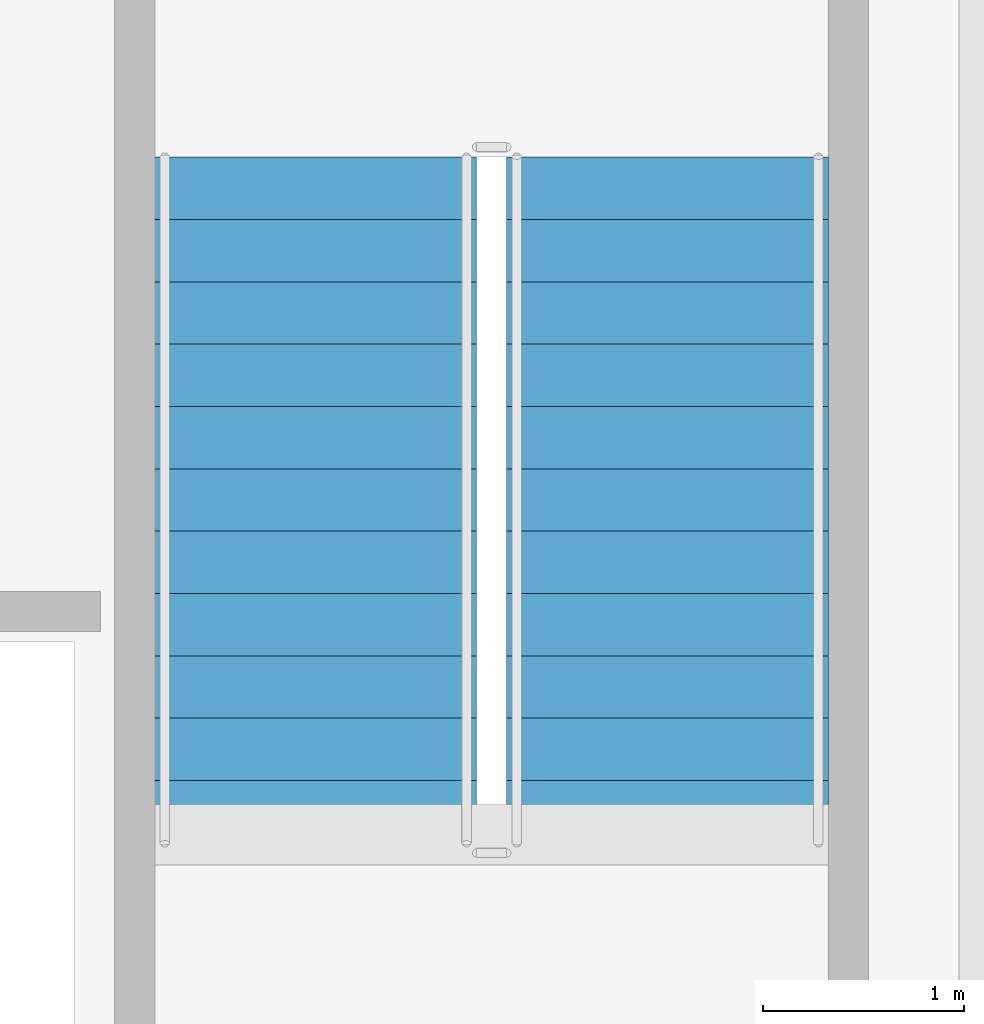
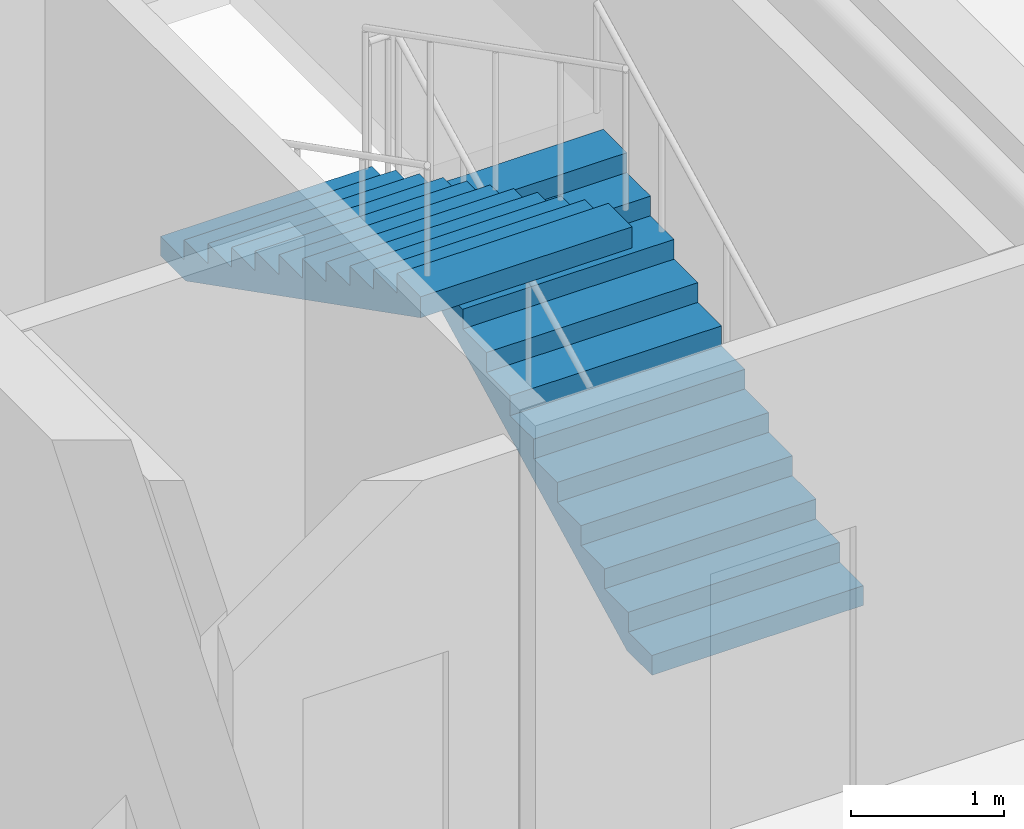
# One storey, part 12 of 18: 2 stair flights, 1 element without a shape of its own.
"""IFC4 building model written with IfcOpenShell, lengths in metres."""

import ifcopenshell
import ifcopenshell.guid

model = None  # the IFC model being written
_history = None  # IfcOwnerHistory: only IFC2X3 demands one
_inside = {}  # id of a spatial element -> (the spatial element, [elements in it])
_under = {}  # id of a project, library or spatial element -> (it, [spatial elements below it])
_declared = {}  # id of a project -> (the project, [libraries it declares])
_typed = {}  # id of a type object -> (the type object, [elements of that type])
_made_of = {}  # id of a material, layer set ... -> (it, [elements and type objects made of it])


def new_model(schema):
    """Start an empty IFC model of exactly this schema.

    Asked for "IFC4X3", IfcOpenShell would pick the latest addendum, in which some entities
    have other attributes; the version numbers below select the first issue.
    IFC2X3 requires an IfcOwnerHistory on every rooted entity: one is made here for all.
    """
    global model, _history
    if schema == "IFC4X3":
        model = ifcopenshell.file(schema_version=(4, 3, 0, 0))
    else:
        model = ifcopenshell.file(schema=schema)
    _inside.clear()
    _under.clear()
    _declared.clear()
    _typed.clear()
    _made_of.clear()
    _history = None
    if model.schema == "IFC2X3":
        org = make("IfcOrganization", Name="unknown")
        user = make(
            "IfcPersonAndOrganization",
            ThePerson=make("IfcPerson", FamilyName="unknown"),
            TheOrganization=org,
        )
        app = make(
            "IfcApplication",
            ApplicationDeveloper=org,
            Version="unknown",
            ApplicationFullName="unknown",
            ApplicationIdentifier="unknown",
        )
        _history = make(
            "IfcOwnerHistory",
            OwningUser=user,
            OwningApplication=app,
            ChangeAction="ADDED",
            CreationDate=0,
        )
    return model


def make(cls, **values):
    """One entity of the class cls with the attributes given. An attribute that is None is left unset."""
    return model.create_entity(
        cls, **{name: value for name, value in values.items() if value is not None}
    )


def rooted(cls, **values):
    """An entity with a GlobalId (a new one), such as an element, a storey or a relation."""
    return make(cls, GlobalId=ifcopenshell.guid.new(), OwnerHistory=_history, **values)


def si_unit(unit_type, name, prefix=None):
    """IfcSIUnit, for example si_unit("LENGTHUNIT", "METRE", prefix="MILLI")."""
    return make("IfcSIUnit", UnitType=unit_type, Prefix=prefix, Name=name)


def assignment(units):
    """IfcUnitAssignment: the units of a project."""
    return None if units is None else make("IfcUnitAssignment", Units=units)


def point(xyz):
    """IfcCartesianPoint."""
    return None if xyz is None else make("IfcCartesianPoint", Coordinates=xyz)


def direction(xyz):
    """IfcDirection."""
    return None if xyz is None else make("IfcDirection", DirectionRatios=xyz)


def frame(location, z_axis=None, x_axis=None):
    """IfcAxis2Placement3D, a coordinate frame: its origin and axes. An axis left out is left unset."""
    return make(
        "IfcAxis2Placement3D",
        Location=point(location),
        Axis=direction(z_axis),
        RefDirection=direction(x_axis),
    )


def origin():
    """The frame at (0, 0, 0) with its axes left unset."""
    return frame((0.0, 0.0, 0.0))


def place(relative_to, where):
    """IfcLocalPlacement: puts the frame where relative to a parent placement (None: the world)."""
    return make(
        "IfcLocalPlacement", PlacementRelTo=relative_to, RelativePlacement=where
    )


def context(
    kind, dimensions, precision=None, world=None, true_north=None, identifier=None
):
    """IfcGeometricRepresentationContext, for example the 3D "Model" context."""
    return make(
        "IfcGeometricRepresentationContext",
        ContextIdentifier=identifier,
        ContextType=kind,
        CoordinateSpaceDimension=dimensions,
        Precision=precision,
        WorldCoordinateSystem=world,
        TrueNorth=true_north,
    )


def subcontext(parent, identifier, kind, view, scale=None):
    """IfcGeometricRepresentationSubContext, for example "Body" below "Model"."""
    return make(
        "IfcGeometricRepresentationSubContext",
        ContextIdentifier=identifier,
        ContextType=kind,
        ParentContext=parent,
        TargetScale=scale,
        TargetView=view,
    )


def project(units=None, contexts=None):
    """IfcProject with its units and contexts."""
    return rooted(
        "IfcProject",
        Name="project",
        RepresentationContexts=contexts,
        UnitsInContext=assignment(units),
    )


def spatial(cls, under=None, at=None, **own):
    """A site, building, storey or space (cls), placed at a placement, below another one or the project."""
    s = rooted(cls, ObjectPlacement=at, **own)
    if under is not None:
        _under.setdefault(under.id(), (under, []))[1].append(s)
    return s


def polyline(points):
    """IfcPolyline through the points."""
    return make("IfcPolyline", Points=[point(p) for p in points])


def outline(outer, holes=None, kind="AREA"):
    """IfcArbitraryClosedProfileDef: a profile drawn as a closed curve; with holes, ...WithVoids."""
    if holes is None:
        return make("IfcArbitraryClosedProfileDef", ProfileType=kind, OuterCurve=outer)
    return make(
        "IfcArbitraryProfileDefWithVoids",
        ProfileType=kind,
        OuterCurve=outer,
        InnerCurves=holes,
    )


def extrude(swept, where, along, depth):
    """IfcExtrudedAreaSolid: the profile swept, set in the frame where, extruded along a direction by depth."""
    return make(
        "IfcExtrudedAreaSolid",
        SweptArea=swept,
        Position=where,
        ExtrudedDirection=direction(along),
        Depth=depth,
    )


def shape(context_of_items, identifier, shape_type, items):
    """IfcShapeRepresentation: the items that make up one representation, for example the "Body"."""
    return make(
        "IfcShapeRepresentation",
        ContextOfItems=context_of_items,
        RepresentationIdentifier=identifier,
        RepresentationType=shape_type,
        Items=items,
    )


def material(Name=None, Category=None):
    """IfcMaterial."""
    return make("IfcMaterial", Name=Name, Category=Category)


def made_of(thing, what):
    """Note that an element or type object is made of a material, layer set ...; save() writes the relation."""
    if what is not None:
        _made_of.setdefault(what.id(), (what, []))[1].append(thing)
    return thing


def type_object(cls, material=None, **own):
    """A type object (cls), such as IfcWallType, which elements share."""
    return made_of(rooted(cls, **own), material)


def element(
    cls,
    number,
    at=None,
    inside=None,
    cuts=None,
    type_object=None,
    material=None,
    context=None,
    identifier="Body",
    shape_type=None,
    held_by="IfcProductDefinitionShape",
    body=None,
    shapes=None,
    **own,
):
    """One element of the class cls, such as IfcWall. Its Tag is "e" and its number.

    at: its placement. inside: the storey or other place that contains it. cuts: it is an
    opening in that element (IfcRelVoidsElement). A single representation is given by context,
    identifier, shape_type and body (its items); several are given by shapes. held_by: the class
    of the entity that holds the representations. save() writes the other relations.
    """
    e = rooted(cls, Tag="e%d" % number, ObjectPlacement=at, **own)
    if body is not None:
        shapes = [shape(context, identifier, shape_type, body)]
    if shapes is not None:
        e.Representation = make(held_by, Representations=shapes)
    if inside is not None:
        _inside.setdefault(inside.id(), (inside, []))[1].append(e)
    if cuts is not None:
        rooted(
            "IfcRelVoidsElement", RelatingBuildingElement=cuts, RelatedOpeningElement=e
        )
    if type_object is not None:
        _typed.setdefault(type_object.id(), (type_object, []))[1].append(e)
    return made_of(e, material)


def aggregate(whole, parts):
    """IfcRelAggregates: a whole, such as a stair, and the parts it consists of."""
    return rooted("IfcRelAggregates", RelatingObject=whole, RelatedObjects=parts)


def save(model, path):
    """Write the relations noted so far, then the file.

    IfcRelAggregates (storeys below a building ...), IfcRelContainedInSpatialStructure (elements
    in a storey), IfcRelDefinesByType, IfcRelAssociatesMaterial and IfcRelDeclares: one each for
    every whole, place, type object, material and project.
    """
    for whole, parts in _under.values():
        aggregate(whole, parts)
    for where, things in _inside.values():
        rooted(
            "IfcRelContainedInSpatialStructure",
            RelatedElements=things,
            RelatingStructure=where,
        )
    for kind, things in _typed.values():
        rooted("IfcRelDefinesByType", RelatedObjects=things, RelatingType=kind)
    for what, things in _made_of.values():
        rooted("IfcRelAssociatesMaterial", RelatedObjects=things, RelatingMaterial=what)
    for by, libraries in _declared.values():
        rooted("IfcRelDeclares", RelatingContext=by, RelatedDefinitions=libraries)
    model.write(path)


model = new_model("IFC4")

# Units and contexts
model_context = context("Model", 3, precision=1e-05, world=origin(), true_north=direction((0.0, 1.0)))
body_context = subcontext(model_context, "Body", "Model", "MODEL_VIEW")
ifc_project = project(units=[si_unit("LENGTHUNIT", "METRE"), si_unit("AREAUNIT", "SQUARE_METRE"), si_unit("VOLUMEUNIT", "CUBIC_METRE"), si_unit("PLANEANGLEUNIT", "RADIAN"), si_unit("MASSUNIT", "GRAM", prefix="KILO")], contexts=[model_context])

# Site, building, storey
site_placement = place(None, origin())
site = spatial("IfcSite", under=ifc_project, at=site_placement, CompositionType="ELEMENT")
building_placement = place(site_placement, origin())
building = spatial("IfcBuilding", under=site, at=building_placement, Name="Vaeldorn Concourse Tower", CompositionType="ELEMENT")
storey_placement = place(building_placement, frame((0.0, 0.0, 265.0)))
storey = spatial("IfcBuildingStorey", under=building, at=storey_placement, Name="L68", CompositionType="ELEMENT", Elevation=265.0)

# Stair, stair flights
ifc_material = material(Name="Precast concrete C40/50", Category="concrete")
stair_type = type_object("IfcStairType", Name="STR-DOG-24x158", PredefinedType="HALF_TURN_STAIR", material=ifc_material)
stair_placement = place(storey_placement, origin())
stair = element("IfcStair", 1, at=stair_placement, inside=storey, type_object=stair_type, Name="L68 East Core Exit Stair ST-2", PredefinedType="HALF_TURN_STAIR")
stair_flight_type = type_object("IfcStairFlightType", Name="STF-STR-12x158", PredefinedType="STRAIGHT", material=ifc_material)
stair_flight_1_placement = place(storey_placement, frame((52.14990234375, 41.60009765625, 0.0), z_axis=(0.0, 0.0, 1.0), x_axis=(0.0, 1.0, 0.0)))
stair_flight_1 = element("IfcStairFlight", 2, at=stair_flight_1_placement, type_object=stair_flight_type, Name="ST-2 flight 1", NumberOfRisers=12, NumberOfTreads=11, PredefinedType="STRAIGHT", RiserHeight=0.158333333, TreadLength=0.31, context=body_context, shape_type="SweptSolid", body=[
    extrude(outline(polyline([(0.0, 0.0), (0.0, 0.158447265625), (0.31005859375, 0.158447265625), (0.31005859375, 0.316650390625), (0.6201171875, 0.316650390625), (0.6201171875, 0.47509765625), (0.929931640625, 0.47509765625), (0.929931640625, 0.63330078125), (1.239990234375, 0.63330078125), (1.239990234375, 0.791748046875), (1.550048828125, 0.791748046875), (1.550048828125, 0.949951171875), (1.860107421875, 0.949951171875), (1.860107421875, 1.1083984375), (2.169921875, 1.1083984375), (2.169921875, 1.2666015625), (2.47998046875, 1.2666015625), (2.47998046875, 1.425048828125), (2.7900390625, 1.425048828125), (2.7900390625, 1.583251953125), (3.10009765625, 1.583251953125), (3.10009765625, 1.74169921875), (3.409912109375, 1.74169921875), (3.409912109375, 1.89990234375), (3.409912109375, 1.5732421875), (0.32958984375, 0.0), (0.0, 0.0)])), frame((0.0, 0.800048828125, 0.0), z_axis=(0.0, -1.0, 0.0), x_axis=(1.0, 0.0, 0.0)), (0.0, 0.0, 1.0), 1.60009765625),
])
stair_flight_2_placement = place(storey_placement, frame((50.39990234375, 45.010009765625, 1.89990234375), z_axis=(0.0, 0.0, 1.0), x_axis=(0.0, -1.0, 0.0)))
stair_flight_2 = element("IfcStairFlight", 3, at=stair_flight_2_placement, type_object=stair_flight_type, Name="ST-2 flight 2", NumberOfRisers=12, NumberOfTreads=11, PredefinedType="STRAIGHT", RiserHeight=0.158333333, TreadLength=0.31, context=body_context, shape_type="SweptSolid", body=[
    extrude(outline(polyline([(0.0, 0.0), (0.0, 0.158447265625), (0.31005859375, 0.158447265625), (0.31005859375, 0.316650390625), (0.6201171875, 0.316650390625), (0.6201171875, 0.47509765625), (0.929931640625, 0.47509765625), (0.929931640625, 0.63330078125), (1.239990234375, 0.63330078125), (1.239990234375, 0.791748046875), (1.550048828125, 0.791748046875), (1.550048828125, 0.949951171875), (1.860107421875, 0.949951171875), (1.860107421875, 1.1083984375), (2.169921875, 1.1083984375), (2.169921875, 1.2666015625), (2.47998046875, 1.2666015625), (2.47998046875, 1.425048828125), (2.7900390625, 1.425048828125), (2.7900390625, 1.583251953125), (3.10009765625, 1.583251953125), (3.10009765625, 1.74169921875), (3.409912109375, 1.74169921875), (3.409912109375, 1.89990234375), (3.409912109375, 1.5732421875), (0.32958984375, 0.0), (0.0, 0.0)])), frame((0.0, 0.800048828125, 0.0), z_axis=(0.0, -1.0, 0.0), x_axis=(1.0, 0.0, 0.0)), (0.0, 0.0, 1.0), 1.60009765625),
])
aggregate(stair, [stair_flight_1, stair_flight_2])

save(model, "model.ifc")
